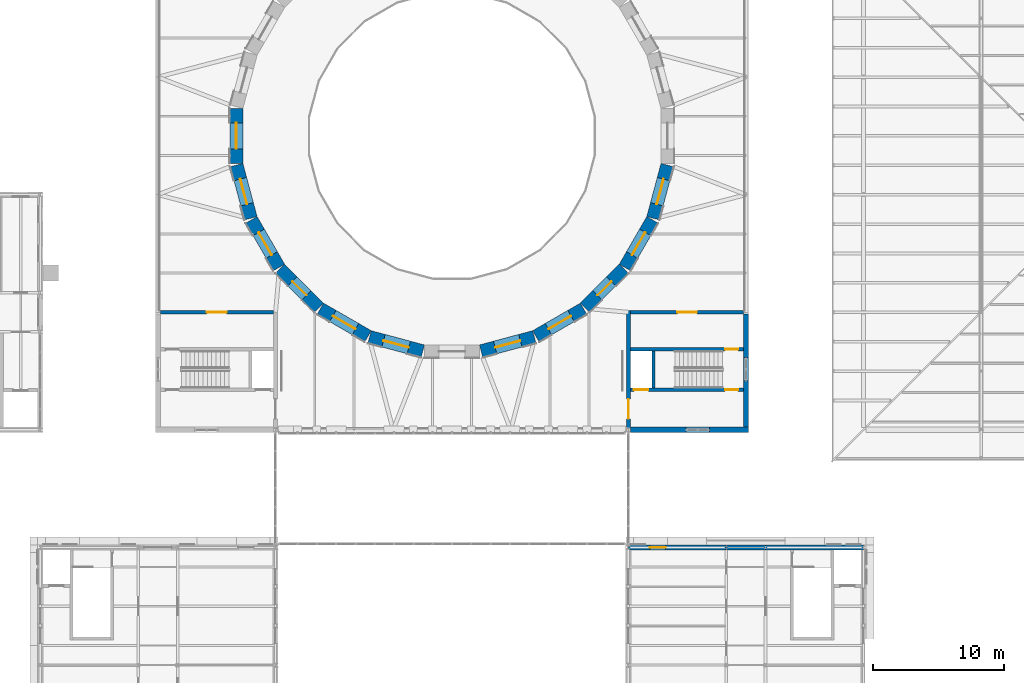
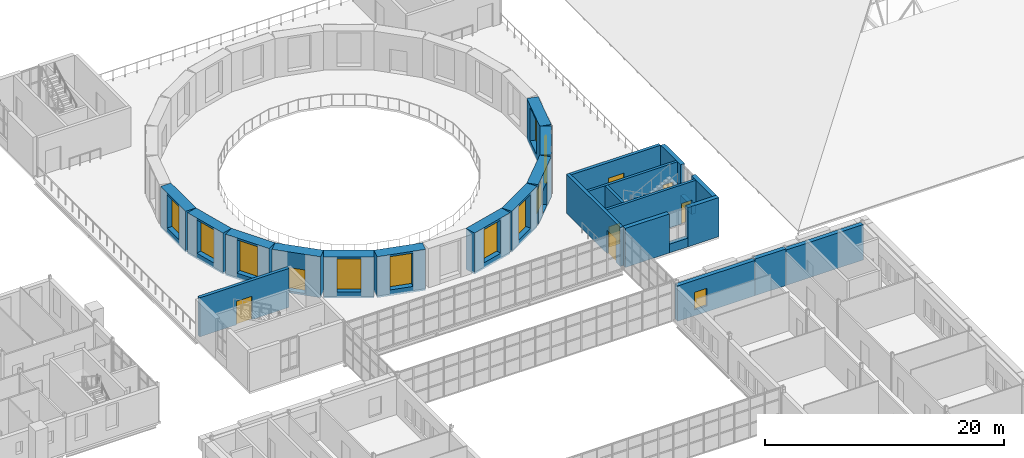
# One storey, part 114 of 154: 26 walls, 10 windows, 8 doors, 18 openings.
"""IFC4 building model written with IfcOpenShell, lengths in metres."""

from ifc_helpers import new_model, si_unit, direction, frame, frame_2d, origin, place, context, subcontext, project, spatial, rectangle, extrude, material, layer, layer_set, type_object, element, fill, save


model = new_model("IFC4")

# Units and contexts
model_context = context("Model", 3, precision=1e-05, world=origin(), true_north=direction((0.0, 1.0)))
body_context = subcontext(model_context, "Body", "Model", "MODEL_VIEW")
ifc_project = project(units=[si_unit("LENGTHUNIT", "METRE"), si_unit("AREAUNIT", "SQUARE_METRE"), si_unit("VOLUMEUNIT", "CUBIC_METRE"), si_unit("PLANEANGLEUNIT", "RADIAN"), si_unit("MASSUNIT", "GRAM", prefix="KILO")], contexts=[model_context])

# Site, building, storey
site_placement = place(None, origin())
site = spatial("IfcSite", under=ifc_project, at=site_placement, CompositionType="ELEMENT")
building_placement = place(site_placement, origin())
building = spatial("IfcBuilding", under=site, at=building_placement, Name="Golden Quay Civic Hall", CompositionType="ELEMENT")
storey_placement = place(building_placement, frame((0.0, 0.0, 14.39990234375)))
storey = spatial("IfcBuildingStorey", under=building, at=storey_placement, Name="L03", CompositionType="ELEMENT", Elevation=14.39990234375)

# Wall, opening, window
ifc_material_1 = material(Name="Concrete C40/50", Category="concrete")
ifc_layer_1 = layer(ifc_material_1, 1.0)
ifc_layer_set_1 = layer_set([ifc_layer_1], Name="Reinforced concrete drum wall 1000, Concrete C40/50")
wall_type_1 = type_object("IfcWallType", Name="Reinforced concrete drum wall 1000", PredefinedType="SHEAR", material=ifc_layer_set_1)
wall_1_placement = place(storey_placement, frame((69.0, 87.6064453125, -0.199951171875), z_axis=(0.0, 0.0, 1.0), x_axis=(0.0, -1.0, 0.0)))
wall_1 = element("IfcWall", 1, at=wall_1_placement, inside=storey, type_object=wall_type_1, Name="Council drum wall 12", PredefinedType="SHEAR", context=body_context, shape_type="SweptSolid", body=[
    extrude(rectangle(XDim=4.212890625, YDim=1.0, at=frame_2d((2.1064453125, 0.0))), origin(), (0.0, 0.0, 1.0), 4.199951171875),
])
opening_1_placement = place(wall_1_placement, frame((1.1064453125, 0.0, 0.60009765625)))
opening_1 = element("IfcOpeningElement", 2, at=opening_1_placement, cuts=wall_1, Name="Opening WN16", PredefinedType="OPENING", context=body_context, shape_type="SweptSolid", body=[
    extrude(rectangle(XDim=2.0, YDim=3.39990234375, at=frame_2d((1.0, 1.699951171875))), frame((0.0, 0.510009765625, 0.0), z_axis=(0.0, -1.0, 0.0), x_axis=(1.0, 0.0, 0.0)), (0.0, 0.0, 1.0), 1.02001953125),
])
ifc_material_2 = material(Name="Aluminium frame, double glazed", Category="aluminium")
window_type_1 = type_object("IfcWindowType", Name="Drum window 2000 x 3400", PartitioningType="SINGLE_PANEL", PredefinedType="WINDOW", material=ifc_material_2)
window_1_placement = place(opening_1_placement, origin())
window_1 = element("IfcWindow", 3, at=window_1_placement, inside=storey, type_object=window_type_1, Name="Gallery window 12", OverallHeight=3.39990234375, OverallWidth=2.0, PartitioningType="SINGLE_PANEL", PredefinedType="WINDOW", context=body_context, shape_type="SweptSolid", body=[
    extrude(rectangle(XDim=2.0, YDim=3.39990234375, at=frame_2d((1.0, 1.699951171875))), frame((0.0, 0.030029296875, 0.0), z_axis=(0.0, -1.0, 0.0), x_axis=(1.0, 0.0, 0.0)), (0.0, 0.0, 1.0), 0.06005859375),
])
fill(opening_1, window_1)

wall_2_placement = place(storey_placement, frame((69.01708984375, 83.26416015625, -0.199951171875), z_axis=(0.0, 0.0, 1.0), x_axis=(0.258809467323, -0.965928392597, 0.0)))
wall_2 = element("IfcWall", 4, at=wall_2_placement, inside=storey, type_object=wall_type_1, Name="Council drum wall 13", PredefinedType="SHEAR", context=body_context, shape_type="SweptSolid", body=[
    extrude(rectangle(XDim=4.212890625, YDim=1.0, at=frame_2d((2.1064453125, 0.0))), origin(), (0.0, 0.0, 1.0), 4.199951171875),
])
opening_2_placement = place(wall_2_placement, frame((1.1064453125, 0.0, 0.60009765625)))
opening_2 = element("IfcOpeningElement", 5, at=opening_2_placement, cuts=wall_2, Name="Opening WN16", PredefinedType="OPENING", context=body_context, shape_type="SweptSolid", body=[
    extrude(rectangle(XDim=2.0, YDim=3.39990234375, at=frame_2d((1.0, 1.699951171875))), frame((0.0, 0.510009765625, 0.0), z_axis=(0.0, -1.0, 0.0), x_axis=(1.0, 0.0, 0.0)), (0.0, 0.0, 1.0), 1.02001953125),
])
window_2_placement = place(opening_2_placement, origin())
window_2 = element("IfcWindow", 6, at=window_2_placement, inside=storey, type_object=window_type_1, Name="Gallery window 13", OverallHeight=3.39990234375, OverallWidth=2.0, PartitioningType="SINGLE_PANEL", PredefinedType="WINDOW", context=body_context, shape_type="SweptSolid", body=[
    extrude(rectangle(XDim=2.0, YDim=3.39990234375, at=frame_2d((1.0, 1.699951171875))), frame((0.0, 0.030029296875, 0.0), z_axis=(0.0, -1.0, 0.0), x_axis=(1.0, 0.0, 0.0)), (0.0, 0.0, 1.0), 0.06005859375),
])
fill(opening_2, window_2)

wall_3_placement = place(storey_placement, frame((70.157470703125, 79.07421875, -0.199951171875), z_axis=(0.0, 0.0, 1.0), x_axis=(0.500003371769, -0.866023457084, 0.0)))
wall_3 = element("IfcWall", 7, at=wall_3_placement, inside=storey, type_object=wall_type_1, Name="Council drum wall 14", PredefinedType="SHEAR", context=body_context, shape_type="SweptSolid", body=[
    extrude(rectangle(XDim=4.212890625, YDim=1.0, at=frame_2d((2.1064453125, 0.0))), origin(), (0.0, 0.0, 1.0), 4.199951171875),
])
opening_3_placement = place(wall_3_placement, frame((1.1064453125, 0.0, 0.60009765625)))
opening_3 = element("IfcOpeningElement", 8, at=opening_3_placement, cuts=wall_3, Name="Opening WN16", PredefinedType="OPENING", context=body_context, shape_type="SweptSolid", body=[
    extrude(rectangle(XDim=2.0, YDim=3.39990234375, at=frame_2d((1.0, 1.699951171875))), frame((0.0, 0.510009765625, 0.0), z_axis=(0.0, -1.0, 0.0), x_axis=(1.0, 0.0, 0.0)), (0.0, 0.0, 1.0), 1.02001953125),
])
window_3_placement = place(opening_3_placement, origin())
window_3 = element("IfcWindow", 9, at=window_3_placement, inside=storey, type_object=window_type_1, Name="Gallery window 14", OverallHeight=3.39990234375, OverallWidth=2.0, PartitioningType="SINGLE_PANEL", PredefinedType="WINDOW", context=body_context, shape_type="SweptSolid", body=[
    extrude(rectangle(XDim=2.0, YDim=3.39990234375, at=frame_2d((1.0, 1.699951171875))), frame((0.0, 0.030029296875, 0.0), z_axis=(0.0, -1.0, 0.0), x_axis=(1.0, 0.0, 0.0)), (0.0, 0.0, 1.0), 0.06005859375),
])
fill(opening_3, window_3)

# Wall, opening, door
wall_4_placement = place(storey_placement, frame((72.34326171875, 75.322265625, -0.199951171875), z_axis=(0.0, 0.0, 1.0), x_axis=(0.707106781187, -0.707106781187, 0.0)))
wall_4 = element("IfcWall", 10, at=wall_4_placement, inside=storey, type_object=wall_type_1, Name="Council drum wall 15", PredefinedType="SHEAR", context=body_context, shape_type="SweptSolid", body=[
    extrude(rectangle(XDim=4.212890625, YDim=1.0, at=frame_2d((2.1064453125, 0.0))), origin(), (0.0, 0.0, 1.0), 4.199951171875),
])
opening_4_placement = place(wall_4_placement, frame((1.3564453125, 0.0, 0.199951171875)))
opening_4 = element("IfcOpeningElement", 11, at=opening_4_placement, cuts=wall_4, Name="Opening L03-D004", PredefinedType="OPENING", context=body_context, shape_type="SweptSolid", body=[
    extrude(rectangle(XDim=1.5, YDim=2.39990234375, at=frame_2d((0.75, 1.199951171875))), frame((0.0, 0.510009765625, 0.0), z_axis=(0.0, -1.0, 0.0), x_axis=(1.0, 0.0, 0.0)), (0.0, 0.0, 1.0), 1.02001953125),
])
ifc_material_3 = material(Name="Timber", Category="wood")
door_type_1 = type_object("IfcDoorType", Name="Timber chamber door 1500 x 2400", OperationType="DOUBLE_DOOR_SINGLE_SWING", PredefinedType="DOOR", material=ifc_material_3)
door_1_placement = place(opening_4_placement, frame((1.5, 0.0, 0.0), z_axis=(0.0, 0.0, 1.0), x_axis=(-1.0, 0.0, 0.0)))
door_1 = element("IfcDoor", 12, at=door_1_placement, inside=storey, type_object=door_type_1, Name="Gallery door", OperationType="DOUBLE_DOOR_SINGLE_SWING", OverallHeight=2.39990234375, OverallWidth=1.5, PredefinedType="DOOR", context=body_context, shape_type="SweptSolid", body=[
    extrude(rectangle(XDim=1.5, YDim=2.39990234375, at=frame_2d((0.75, 1.199951171875))), frame((0.0, 0.025146484375, 0.0), z_axis=(0.0, -1.0, 0.0), x_axis=(1.0, 0.0, 0.0)), (0.0, 0.0, 1.0), 0.050048828125),
])
fill(opening_4, door_1)

# Wall, opening, window
wall_5_placement = place(storey_placement, frame((75.42578125, 72.263916015625, -0.199951171875), z_axis=(0.0, 0.0, 1.0), x_axis=(0.866023457084, -0.500003371769, 0.0)))
wall_5 = element("IfcWall", 13, at=wall_5_placement, inside=storey, type_object=wall_type_1, Name="Council drum wall 16", PredefinedType="SHEAR", context=body_context, shape_type="SweptSolid", body=[
    extrude(rectangle(XDim=4.212890625, YDim=1.0, at=frame_2d((2.1064453125, 0.0))), origin(), (0.0, 0.0, 1.0), 4.199951171875),
])
opening_5_placement = place(wall_5_placement, frame((1.1064453125, 0.0, 0.60009765625)))
opening_5 = element("IfcOpeningElement", 14, at=opening_5_placement, cuts=wall_5, Name="Opening WN16", PredefinedType="OPENING", context=body_context, shape_type="SweptSolid", body=[
    extrude(rectangle(XDim=2.0, YDim=3.39990234375, at=frame_2d((1.0, 1.699951171875))), frame((0.0, 0.510009765625, 0.0), z_axis=(0.0, -1.0, 0.0), x_axis=(1.0, 0.0, 0.0)), (0.0, 0.0, 1.0), 1.02001953125),
])
window_4_placement = place(opening_5_placement, origin())
window_4 = element("IfcWindow", 15, at=window_4_placement, inside=storey, type_object=window_type_1, Name="Gallery window 16", OverallHeight=3.39990234375, OverallWidth=2.0, PartitioningType="SINGLE_PANEL", PredefinedType="WINDOW", context=body_context, shape_type="SweptSolid", body=[
    extrude(rectangle(XDim=2.0, YDim=3.39990234375, at=frame_2d((1.0, 1.699951171875))), frame((0.0, 0.030029296875, 0.0), z_axis=(0.0, -1.0, 0.0), x_axis=(1.0, 0.0, 0.0)), (0.0, 0.0, 1.0), 0.06005859375),
])
fill(opening_5, window_4)

wall_6_placement = place(storey_placement, frame((79.19482421875, 70.107421875, -0.199951171875), z_axis=(0.0, 0.0, 1.0), x_axis=(0.965928392597, -0.258809467323, 0.0)))
wall_6 = element("IfcWall", 16, at=wall_6_placement, inside=storey, type_object=wall_type_1, Name="Council drum wall 17", PredefinedType="SHEAR", context=body_context, shape_type="SweptSolid", body=[
    extrude(rectangle(XDim=4.212890625, YDim=1.0, at=frame_2d((2.1064453125, 0.0))), origin(), (0.0, 0.0, 1.0), 4.199951171875),
])
opening_6_placement = place(wall_6_placement, frame((1.1064453125, 0.0, 0.60009765625)))
opening_6 = element("IfcOpeningElement", 17, at=opening_6_placement, cuts=wall_6, Name="Opening WN16", PredefinedType="OPENING", context=body_context, shape_type="SweptSolid", body=[
    extrude(rectangle(XDim=2.0, YDim=3.39990234375, at=frame_2d((1.0, 1.699951171875))), frame((0.0, 0.510009765625, 0.0), z_axis=(0.0, -1.0, 0.0), x_axis=(1.0, 0.0, 0.0)), (0.0, 0.0, 1.0), 1.02001953125),
])
window_5_placement = place(opening_6_placement, origin())
window_5 = element("IfcWindow", 18, at=window_5_placement, inside=storey, type_object=window_type_1, Name="Gallery window 17", OverallHeight=3.39990234375, OverallWidth=2.0, PartitioningType="SINGLE_PANEL", PredefinedType="WINDOW", context=body_context, shape_type="SweptSolid", body=[
    extrude(rectangle(XDim=2.0, YDim=3.39990234375, at=frame_2d((1.0, 1.699951171875))), frame((0.0, 0.030029296875, 0.0), z_axis=(0.0, -1.0, 0.0), x_axis=(1.0, 0.0, 0.0)), (0.0, 0.0, 1.0), 0.06005859375),
])
fill(opening_6, window_5)

wall_7_placement = place(storey_placement, frame((87.73583984375, 69.01708984375, -0.199951171875), z_axis=(0.0, 0.0, 1.0), x_axis=(0.965928392597, 0.258809467323, 0.0)))
wall_7 = element("IfcWall", 19, at=wall_7_placement, inside=storey, type_object=wall_type_1, Name="Council drum wall 19", PredefinedType="SHEAR", context=body_context, shape_type="SweptSolid", body=[
    extrude(rectangle(XDim=4.212890625, YDim=1.0, at=frame_2d((2.1064453125, 0.0))), origin(), (0.0, 0.0, 1.0), 4.199951171875),
])
opening_7_placement = place(wall_7_placement, frame((1.1064453125, 0.0, 0.60009765625)))
opening_7 = element("IfcOpeningElement", 20, at=opening_7_placement, cuts=wall_7, Name="Opening WN16", PredefinedType="OPENING", context=body_context, shape_type="SweptSolid", body=[
    extrude(rectangle(XDim=2.0, YDim=3.39990234375, at=frame_2d((1.0, 1.699951171875))), frame((0.0, 0.510009765625, 0.0), z_axis=(0.0, -1.0, 0.0), x_axis=(1.0, 0.0, 0.0)), (0.0, 0.0, 1.0), 1.02001953125),
])
window_6_placement = place(opening_7_placement, origin())
window_6 = element("IfcWindow", 21, at=window_6_placement, inside=storey, type_object=window_type_1, Name="Gallery window 19", OverallHeight=3.39990234375, OverallWidth=2.0, PartitioningType="SINGLE_PANEL", PredefinedType="WINDOW", context=body_context, shape_type="SweptSolid", body=[
    extrude(rectangle(XDim=2.0, YDim=3.39990234375, at=frame_2d((1.0, 1.699951171875))), frame((0.0, 0.030029296875, 0.0), z_axis=(0.0, -1.0, 0.0), x_axis=(1.0, 0.0, 0.0)), (0.0, 0.0, 1.0), 0.06005859375),
])
fill(opening_7, window_6)

wall_8_placement = place(storey_placement, frame((91.92578125, 70.157470703125, -0.199951171875), z_axis=(0.0, 0.0, 1.0), x_axis=(0.866023457084, 0.500003371769, 0.0)))
wall_8 = element("IfcWall", 22, at=wall_8_placement, inside=storey, type_object=wall_type_1, Name="Council drum wall 20", PredefinedType="SHEAR", context=body_context, shape_type="SweptSolid", body=[
    extrude(rectangle(XDim=4.212890625, YDim=1.0, at=frame_2d((2.1064453125, 0.0))), origin(), (0.0, 0.0, 1.0), 4.199951171875),
])
opening_8_placement = place(wall_8_placement, frame((1.1064453125, 0.0, 0.60009765625)))
opening_8 = element("IfcOpeningElement", 23, at=opening_8_placement, cuts=wall_8, Name="Opening WN16", PredefinedType="OPENING", context=body_context, shape_type="SweptSolid", body=[
    extrude(rectangle(XDim=2.0, YDim=3.39990234375, at=frame_2d((1.0, 1.699951171875))), frame((0.0, 0.510009765625, 0.0), z_axis=(0.0, -1.0, 0.0), x_axis=(1.0, 0.0, 0.0)), (0.0, 0.0, 1.0), 1.02001953125),
])
window_7_placement = place(opening_8_placement, origin())
window_7 = element("IfcWindow", 24, at=window_7_placement, inside=storey, type_object=window_type_1, Name="Gallery window 20", OverallHeight=3.39990234375, OverallWidth=2.0, PartitioningType="SINGLE_PANEL", PredefinedType="WINDOW", context=body_context, shape_type="SweptSolid", body=[
    extrude(rectangle(XDim=2.0, YDim=3.39990234375, at=frame_2d((1.0, 1.699951171875))), frame((0.0, 0.030029296875, 0.0), z_axis=(0.0, -1.0, 0.0), x_axis=(1.0, 0.0, 0.0)), (0.0, 0.0, 1.0), 0.06005859375),
])
fill(opening_8, window_7)

# Wall, opening, door
wall_9_placement = place(storey_placement, frame((95.677734375, 72.34326171875, -0.199951171875), z_axis=(0.0, 0.0, 1.0), x_axis=(0.707106781187, 0.707106781187, 0.0)))
wall_9 = element("IfcWall", 25, at=wall_9_placement, inside=storey, type_object=wall_type_1, Name="Council drum wall 21", PredefinedType="SHEAR", context=body_context, shape_type="SweptSolid", body=[
    extrude(rectangle(XDim=4.212890625, YDim=1.0, at=frame_2d((2.1064453125, 0.0))), origin(), (0.0, 0.0, 1.0), 4.199951171875),
])
opening_9_placement = place(wall_9_placement, frame((1.3564453125, 0.0, 0.199951171875)))
opening_9 = element("IfcOpeningElement", 26, at=opening_9_placement, cuts=wall_9, Name="Opening L03-D005", PredefinedType="OPENING", context=body_context, shape_type="SweptSolid", body=[
    extrude(rectangle(XDim=1.5, YDim=2.39990234375, at=frame_2d((0.75, 1.199951171875))), frame((0.0, 0.510009765625, 0.0), z_axis=(0.0, -1.0, 0.0), x_axis=(1.0, 0.0, 0.0)), (0.0, 0.0, 1.0), 1.02001953125),
])
door_2_placement = place(opening_9_placement, frame((1.5, 0.0, 0.0), z_axis=(0.0, 0.0, 1.0), x_axis=(-1.0, 0.0, 0.0)))
door_2 = element("IfcDoor", 27, at=door_2_placement, inside=storey, type_object=door_type_1, Name="Gallery door", OperationType="DOUBLE_DOOR_SINGLE_SWING", OverallHeight=2.39990234375, OverallWidth=1.5, PredefinedType="DOOR", context=body_context, shape_type="SweptSolid", body=[
    extrude(rectangle(XDim=1.5, YDim=2.39990234375, at=frame_2d((0.75, 1.199951171875))), frame((0.0, 0.025146484375, 0.0), z_axis=(0.0, -1.0, 0.0), x_axis=(1.0, 0.0, 0.0)), (0.0, 0.0, 1.0), 0.050048828125),
])
fill(opening_9, door_2)

# Wall, opening, window
wall_10_placement = place(storey_placement, frame((98.736083984375, 75.42578125, -0.199951171875), z_axis=(0.0, 0.0, 1.0), x_axis=(0.500003371769, 0.866023457084, 0.0)))
wall_10 = element("IfcWall", 28, at=wall_10_placement, inside=storey, type_object=wall_type_1, Name="Council drum wall 22", PredefinedType="SHEAR", context=body_context, shape_type="SweptSolid", body=[
    extrude(rectangle(XDim=4.212890625, YDim=1.0, at=frame_2d((2.1064453125, 0.0))), origin(), (0.0, 0.0, 1.0), 4.199951171875),
])
opening_10_placement = place(wall_10_placement, frame((1.1064453125, 0.0, 0.60009765625)))
opening_10 = element("IfcOpeningElement", 29, at=opening_10_placement, cuts=wall_10, Name="Opening WN16", PredefinedType="OPENING", context=body_context, shape_type="SweptSolid", body=[
    extrude(rectangle(XDim=2.0, YDim=3.39990234375, at=frame_2d((1.0, 1.699951171875))), frame((0.0, 0.510009765625, 0.0), z_axis=(0.0, -1.0, 0.0), x_axis=(1.0, 0.0, 0.0)), (0.0, 0.0, 1.0), 1.02001953125),
])
window_8_placement = place(opening_10_placement, origin())
window_8 = element("IfcWindow", 30, at=window_8_placement, inside=storey, type_object=window_type_1, Name="Gallery window 22", OverallHeight=3.39990234375, OverallWidth=2.0, PartitioningType="SINGLE_PANEL", PredefinedType="WINDOW", context=body_context, shape_type="SweptSolid", body=[
    extrude(rectangle(XDim=2.0, YDim=3.39990234375, at=frame_2d((1.0, 1.699951171875))), frame((0.0, 0.030029296875, 0.0), z_axis=(0.0, -1.0, 0.0), x_axis=(1.0, 0.0, 0.0)), (0.0, 0.0, 1.0), 0.06005859375),
])
fill(opening_10, window_8)

wall_11_placement = place(storey_placement, frame((100.892578125, 79.19482421875, -0.199951171875), z_axis=(0.0, 0.0, 1.0), x_axis=(0.258809467323, 0.965928392597, 0.0)))
wall_11 = element("IfcWall", 31, at=wall_11_placement, inside=storey, type_object=wall_type_1, Name="Council drum wall 23", PredefinedType="SHEAR", context=body_context, shape_type="SweptSolid", body=[
    extrude(rectangle(XDim=4.212890625, YDim=1.0, at=frame_2d((2.1064453125, 0.0))), origin(), (0.0, 0.0, 1.0), 4.199951171875),
])
opening_11_placement = place(wall_11_placement, frame((1.1064453125, 0.0, 0.60009765625)))
opening_11 = element("IfcOpeningElement", 32, at=opening_11_placement, cuts=wall_11, Name="Opening WN16", PredefinedType="OPENING", context=body_context, shape_type="SweptSolid", body=[
    extrude(rectangle(XDim=2.0, YDim=3.39990234375, at=frame_2d((1.0, 1.699951171875))), frame((0.0, 0.510009765625, 0.0), z_axis=(0.0, -1.0, 0.0), x_axis=(1.0, 0.0, 0.0)), (0.0, 0.0, 1.0), 1.02001953125),
])
window_9_placement = place(opening_11_placement, origin())
window_9 = element("IfcWindow", 33, at=window_9_placement, inside=storey, type_object=window_type_1, Name="Gallery window 23", OverallHeight=3.39990234375, OverallWidth=2.0, PartitioningType="SINGLE_PANEL", PredefinedType="WINDOW", context=body_context, shape_type="SweptSolid", body=[
    extrude(rectangle(XDim=2.0, YDim=3.39990234375, at=frame_2d((1.0, 1.699951171875))), frame((0.0, 0.030029296875, 0.0), z_axis=(0.0, -1.0, 0.0), x_axis=(1.0, 0.0, 0.0)), (0.0, 0.0, 1.0), 0.06005859375),
])
fill(opening_11, window_9)

# Wall, opening, door
ifc_material_4 = material(Name="Concrete C40/50", Category="concrete")
ifc_layer_2 = layer(ifc_material_4, 0.300048828125)
ifc_layer_set_2 = layer_set([ifc_layer_2], Name="Reinforced concrete pocket wall 300, Concrete C40/50")
wall_type_2 = type_object("IfcWallType", Name="Reinforced concrete pocket wall 300", PredefinedType="SHEAR", material=ifc_layer_set_2)
wall_12_placement = place(storey_placement, frame((63.199951171875, 72.0, 0.0), z_axis=(0.0, 0.0, 1.0), x_axis=(1.0, 0.0, 0.0)))
wall_12 = element("IfcWall", 34, at=wall_12_placement, inside=storey, type_object=wall_type_2, Name="Core wall SW B", PredefinedType="SHEAR", context=body_context, shape_type="SweptSolid", body=[
    extrude(rectangle(XDim=8.650146484375, YDim=0.300048828125, at=frame_2d((4.3251953125, 0.0))), origin(), (0.0, 0.0, 1.0), 4.0),
])
opening_12_placement = place(wall_12_placement, frame((3.550048828125, 0.0, 0.0)))
opening_12 = element("IfcOpeningElement", 35, at=opening_12_placement, cuts=wall_12, Name="Opening L03-D128", PredefinedType="OPENING", context=body_context, shape_type="SweptSolid", body=[
    extrude(rectangle(XDim=1.5, YDim=2.39990234375, at=frame_2d((0.75, 1.199951171875))), frame((0.0, 0.159912109375, 0.0), z_axis=(0.0, -1.0, 0.0), x_axis=(1.0, 0.0, 0.0)), (0.0, 0.0, 1.0), 0.320068359375),
])
ifc_material_5 = material(Name="Steel", Category="steel")
door_type_2 = type_object("IfcDoorType", Name="Steel double fire door FD60 1500 x 2400", OperationType="DOUBLE_DOOR_SINGLE_SWING", PredefinedType="DOOR", material=ifc_material_5)
door_3_placement = place(opening_12_placement, origin())
door_3 = element("IfcDoor", 36, at=door_3_placement, inside=storey, type_object=door_type_2, Name="Gallery lobby door SW 2", OperationType="DOUBLE_DOOR_SINGLE_SWING", OverallHeight=2.39990234375, OverallWidth=1.5, PredefinedType="DOOR", context=body_context, shape_type="SweptSolid", body=[
    extrude(rectangle(XDim=1.5, YDim=2.39990234375, at=frame_2d((0.75, 1.199951171875))), frame((0.0, 0.02490234375, 0.0), z_axis=(0.0, -1.0, 0.0), x_axis=(1.0, 0.0, 0.0)), (0.0, 0.0, 1.0), 0.050048828125),
])
fill(opening_12, door_3)

wall_13_placement = place(storey_placement, frame((99.0, 63.14990234375, 0.0), z_axis=(0.0, 0.0, 1.0), x_axis=(0.0, 1.0, 0.0)))
wall_13 = element("IfcWall", 37, at=wall_13_placement, inside=storey, type_object=wall_type_2, Name="Core wall SE A", PredefinedType="SHEAR", context=body_context, shape_type="SweptSolid", body=[
    extrude(rectangle(XDim=9.0, YDim=0.300048828125, at=frame_2d((4.5, 0.0))), origin(), (0.0, 0.0, 1.0), 4.0),
])
opening_13_placement = place(wall_13_placement, frame((0.699951171875, 0.0, 0.0)))
opening_13 = element("IfcOpeningElement", 38, at=opening_13_placement, cuts=wall_13, Name="Opening L03-D132", PredefinedType="OPENING", context=body_context, shape_type="SweptSolid", body=[
    extrude(rectangle(XDim=1.5, YDim=2.39990234375, at=frame_2d((0.75, 1.199951171875))), frame((0.0, 0.159912109375, 0.0), z_axis=(0.0, -1.0, 0.0), x_axis=(1.0, 0.0, 0.0)), (0.0, 0.0, 1.0), 0.320068359375),
])
door_4_placement = place(opening_13_placement, origin())
door_4 = element("IfcDoor", 39, at=door_4_placement, inside=storey, type_object=door_type_2, Name="Gallery lobby door SE 1", OperationType="DOUBLE_DOOR_SINGLE_SWING", OverallHeight=2.39990234375, OverallWidth=1.5, PredefinedType="DOOR", context=body_context, shape_type="SweptSolid", body=[
    extrude(rectangle(XDim=1.5, YDim=2.39990234375, at=frame_2d((0.75, 1.199951171875))), frame((0.0, 0.02490234375, 0.0), z_axis=(0.0, -1.0, 0.0), x_axis=(1.0, 0.0, 0.0)), (0.0, 0.0, 1.0), 0.050048828125),
])
fill(opening_13, door_4)

wall_14_placement = place(storey_placement, frame((107.800048828125, 72.0, 0.0), z_axis=(0.0, 0.0, 1.0), x_axis=(-1.0, 0.0, 0.0)))
wall_14 = element("IfcWall", 40, at=wall_14_placement, inside=storey, type_object=wall_type_2, Name="Core wall SE B", PredefinedType="SHEAR", context=body_context, shape_type="SweptSolid", body=[
    extrude(rectangle(XDim=8.650146484375, YDim=0.300048828125, at=frame_2d((4.3251953125, 0.0))), origin(), (0.0, 0.0, 1.0), 4.0),
])
opening_14_placement = place(wall_14_placement, frame((3.550048828125, 0.0, 0.0)))
opening_14 = element("IfcOpeningElement", 41, at=opening_14_placement, cuts=wall_14, Name="Opening L03-D133", PredefinedType="OPENING", context=body_context, shape_type="SweptSolid", body=[
    extrude(rectangle(XDim=1.5, YDim=2.39990234375, at=frame_2d((0.75, 1.199951171875))), frame((0.0, 0.159912109375, 0.0), z_axis=(0.0, -1.0, 0.0), x_axis=(1.0, 0.0, 0.0)), (0.0, 0.0, 1.0), 0.320068359375),
])
door_5_placement = place(opening_14_placement, frame((1.5, 0.0, 0.0), z_axis=(0.0, 0.0, 1.0), x_axis=(-1.0, 0.0, 0.0)))
door_5 = element("IfcDoor", 42, at=door_5_placement, inside=storey, type_object=door_type_2, Name="Gallery lobby door SE 2", OperationType="DOUBLE_DOOR_SINGLE_SWING", OverallHeight=2.39990234375, OverallWidth=1.5, PredefinedType="DOOR", context=body_context, shape_type="SweptSolid", body=[
    extrude(rectangle(XDim=1.5, YDim=2.39990234375, at=frame_2d((0.75, 1.199951171875))), frame((0.0, 0.025146484375, 0.0), z_axis=(0.0, -1.0, 0.0), x_axis=(1.0, 0.0, 0.0)), (0.0, 0.0, 1.0), 0.050048828125),
])
fill(opening_14, door_5)

# Wall, openings, doors
ifc_material_6 = material(Name="Concrete C40/50", Category="concrete")
ifc_layer_3 = layer(ifc_material_6, 0.25)
ifc_layer_set_3 = layer_set([ifc_layer_3], Name="Reinforced concrete shaft wall 250, Concrete C40/50")
wall_type_3 = type_object("IfcWallType", Name="Reinforced concrete shaft wall 250", PredefinedType="SHEAR", material=ifc_layer_set_3)
wall_15_placement = place(storey_placement, frame((107.800048828125, 66.074951171875, 0.0), z_axis=(0.0, 0.0, 1.0), x_axis=(-1.0, 0.0, 0.0)))
wall_15 = element("IfcWall", 43, at=wall_15_placement, inside=storey, type_object=wall_type_3, Name="Shaft wall SE 1", PredefinedType="SHEAR", context=body_context, shape_type="SweptSolid", body=[
    extrude(rectangle(XDim=8.650146484375, YDim=0.25, at=frame_2d((4.3251953125, 0.0))), origin(), (0.0, 0.0, 1.0), 4.0),
])
opening_15_placement = place(wall_15_placement, frame((0.39990234375, 0.0, 0.0)))
opening_15 = element("IfcOpeningElement", 44, at=opening_15_placement, cuts=wall_15, Name="Opening L03-D131", PredefinedType="OPENING", context=body_context, shape_type="SweptSolid", body=[
    extrude(rectangle(XDim=1.0, YDim=2.10009765625, at=frame_2d((0.5, 1.050048828125))), frame((0.0, 0.135009765625, 0.0), z_axis=(0.0, -1.0, 0.0), x_axis=(1.0, 0.0, 0.0)), (0.0, 0.0, 1.0), 0.27001953125),
])
opening_16_placement = place(wall_15_placement, frame((7.27490234375, 0.0, 0.0)))
opening_16 = element("IfcOpeningElement", 45, at=opening_16_placement, cuts=wall_15, Name="Opening L03-D135", PredefinedType="OPENING", context=body_context, shape_type="SweptSolid", body=[
    extrude(rectangle(XDim=1.10009765625, YDim=2.10009765625, at=frame_2d((0.550048828125, 1.050048828125))), frame((0.0, 0.135009765625, 0.0), z_axis=(0.0, -1.0, 0.0), x_axis=(1.0, 0.0, 0.0)), (0.0, 0.0, 1.0), 0.27001953125),
])
ifc_material_7 = material(Name="Steel", Category="steel")
door_type_3 = type_object("IfcDoorType", Name="Lift landing door 1100 x 2100", OperationType="SLIDING_TO_LEFT", PredefinedType="DOOR", material=ifc_material_7)
door_6_placement = place(opening_16_placement, origin())
door_6 = element("IfcDoor", 46, at=door_6_placement, inside=storey, type_object=door_type_3, Name="Lift SE landing door", OperationType="SLIDING_TO_LEFT", OverallHeight=2.10009765625, OverallWidth=1.10009765625, PredefinedType="DOOR", context=body_context, shape_type="SweptSolid", body=[
    extrude(rectangle(XDim=1.10009765625, YDim=2.10009765625, at=frame_2d((0.550048828125, 1.050048828125))), frame((0.0, 0.02490234375, 0.0), z_axis=(0.0, -1.0, 0.0), x_axis=(1.0, 0.0, 0.0)), (0.0, 0.0, 1.0), 0.050048828125),
])
fill(opening_16, door_6)
ifc_material_8 = material(Name="Steel", Category="steel")
door_type_4 = type_object("IfcDoorType", Name="Steel fire door FD60 1100 x 2100", OperationType="SINGLE_SWING_LEFT", PredefinedType="DOOR", material=ifc_material_8)
door_7_placement = place(opening_15_placement, frame((1.0, 0.0, 0.0), z_axis=(0.0, 0.0, 1.0), x_axis=(-1.0, 0.0, 0.0)))
door_7 = element("IfcDoor", 47, at=door_7_placement, inside=storey, type_object=door_type_4, Name="Stair door SE", OperationType="SINGLE_SWING_RIGHT", OverallHeight=2.10009765625, OverallWidth=1.0, PredefinedType="DOOR", context=body_context, shape_type="SweptSolid", body=[
    extrude(rectangle(XDim=1.0, YDim=2.10009765625, at=frame_2d((0.5, 1.050048828125))), frame((0.0, 0.025146484375, 0.0), z_axis=(0.0, -1.0, 0.0), x_axis=(1.0, 0.0, 0.0)), (0.0, 0.0, 1.0), 0.050048828125),
])
fill(opening_15, door_7)

# Wall, opening, door
wall_16_placement = place(storey_placement, frame((107.800048828125, 69.175048828125, 0.0), z_axis=(0.0, 0.0, 1.0), x_axis=(-1.0, 0.0, 0.0)))
wall_16 = element("IfcWall", 48, at=wall_16_placement, inside=storey, type_object=wall_type_3, Name="Shaft wall SE 2", PredefinedType="SHEAR", context=body_context, shape_type="SweptSolid", body=[
    extrude(rectangle(XDim=8.650146484375, YDim=0.25, at=frame_2d((4.3251953125, 0.0))), origin(), (0.0, 0.0, 1.0), 4.0),
])
opening_17_placement = place(wall_16_placement, frame((0.39990234375, 0.0, 0.0)))
opening_17 = element("IfcOpeningElement", 49, at=opening_17_placement, cuts=wall_16, Name="Opening L03-D134", PredefinedType="OPENING", context=body_context, shape_type="SweptSolid", body=[
    extrude(rectangle(XDim=1.0, YDim=2.10009765625, at=frame_2d((0.5, 1.050048828125))), frame((0.0, 0.135009765625, 0.0), z_axis=(0.0, -1.0, 0.0), x_axis=(1.0, 0.0, 0.0)), (0.0, 0.0, 1.0), 0.27001953125),
])
door_8_placement = place(opening_17_placement, origin())
door_8 = element("IfcDoor", 50, at=door_8_placement, inside=storey, type_object=door_type_4, Name="Stair door SE north", OperationType="SINGLE_SWING_LEFT", OverallHeight=2.10009765625, OverallWidth=1.0, PredefinedType="DOOR", context=body_context, shape_type="SweptSolid", body=[
    extrude(rectangle(XDim=1.0, YDim=2.10009765625, at=frame_2d((0.5, 1.050048828125))), frame((0.0, 0.02490234375, 0.0), z_axis=(0.0, -1.0, 0.0), x_axis=(1.0, 0.0, 0.0)), (0.0, 0.0, 1.0), 0.050048828125),
])
fill(opening_17, door_8)

# Wall
wall_17_placement = place(storey_placement, frame((100.925048828125, 66.199951171875, 0.0), z_axis=(0.0, 0.0, 1.0), x_axis=(0.0, 1.0, 0.0)))
element("IfcWall", 51, at=wall_17_placement, inside=storey, type_object=wall_type_3, Name="Shaft wall SE 3", PredefinedType="SHEAR", context=body_context, shape_type="SweptSolid", body=[
    extrude(rectangle(XDim=2.85009765625, YDim=0.25, at=frame_2d((1.425048828125, 0.0))), origin(), (0.0, 0.0, 1.0), 4.0),
])

# Wall, opening, window
ifc_material_9 = material(Name="Clay block, rendered, cream")
ifc_layer_4 = layer(ifc_material_9, 0.39990234375)
ifc_layer_set_4 = layer_set([ifc_layer_4], Name="Rendered block external wall 400")
wall_type_4 = type_object("IfcWallType", Name="Rendered block external wall 400", PredefinedType="STANDARD", material=ifc_layer_set_4)
wall_18_placement = place(storey_placement, frame((99.00830078125, 54.0, 0.0), z_axis=(0.0, 0.0, 1.0), x_axis=(1.0, 0.0, 0.0)))
wall_18 = element("IfcWall", 52, at=wall_18_placement, inside=storey, type_object=wall_type_4, Name="Rendered block external wall 400 L03 41", PredefinedType="STANDARD", context=body_context, shape_type="SweptSolid", body=[
    extrude(rectangle(XDim=7.4833984375, YDim=0.39990234375, at=frame_2d((3.74169921875, 0.0))), origin(), (0.0, 0.0, 1.0), 3.6201171875),
])
opening_18_placement = place(wall_18_placement, frame((1.641845703125, 0.0, 0.60009765625)))
opening_18 = element("IfcOpeningElement", 53, at=opening_18_placement, cuts=wall_18, Name="Opening WN10", PredefinedType="OPENING", context=body_context, shape_type="SweptSolid", body=[
    extrude(rectangle(XDim=1.199951171875, YDim=1.800048828125, at=frame_2d((0.60009765625, 0.89990234375))), frame((0.0, 0.2099609375, 0.0), z_axis=(0.0, -1.0, 0.0), x_axis=(1.0, 0.0, 0.0)), (0.0, 0.0, 1.0), 0.419921875),
])
ifc_material_10 = material(Name="Aluminium frame, double glazed", Category="aluminium")
window_type_2 = type_object("IfcWindowType", Name="Golden grid window 1200 x 1800", PartitioningType="SINGLE_PANEL", PredefinedType="WINDOW", material=ifc_material_10)
window_10_placement = place(opening_18_placement, origin())
window_10 = element("IfcWindow", 54, at=window_10_placement, inside=storey, type_object=window_type_2, Name="Golden grid window 1200 x 1800 L03 62", OverallHeight=1.800048828125, OverallWidth=1.199951171875, PartitioningType="SINGLE_PANEL", PredefinedType="WINDOW", context=body_context, shape_type="SweptSolid", body=[
    extrude(rectangle(XDim=1.199951171875, YDim=1.800048828125, at=frame_2d((0.60009765625, 0.89990234375))), frame((0.0, 0.030029296875, 0.0), z_axis=(0.0, -1.0, 0.0), x_axis=(1.0, 0.0, 0.0)), (0.0, 0.0, 1.0), 0.06005859375),
])
fill(opening_18, window_10)

# Walls
wall_19_placement = place(storey_placement, frame((106.50830078125, 54.0, 0.0), z_axis=(0.0, 0.0, 1.0), x_axis=(1.0, 0.0, 0.0)))
element("IfcWall", 55, at=wall_19_placement, inside=storey, type_object=wall_type_4, Name="Rendered block external wall 400 L03 42", PredefinedType="STANDARD", context=body_context, shape_type="SweptSolid", body=[
    extrude(rectangle(XDim=2.9833984375, YDim=0.39990234375, at=frame_2d((1.49169921875, 0.0))), origin(), (0.0, 0.0, 1.0), 3.75),
])
ifc_material_11 = material(Name="Clay block, rendered, cream")
ifc_layer_5 = layer(ifc_material_11, 0.39990234375)
ifc_layer_set_5 = layer_set([ifc_layer_5], Name="Rendered block external wall 400 fire EI 60")
wall_type_5 = type_object("IfcWallType", Name="Rendered block external wall 400 fire EI 60", PredefinedType="STANDARD", material=ifc_layer_set_5)
wall_20_placement = place(storey_placement, frame((109.50830078125, 54.0, 0.0), z_axis=(0.0, 0.0, 1.0), x_axis=(1.0, 0.0, 0.0)))
element("IfcWall", 56, at=wall_20_placement, inside=storey, type_object=wall_type_5, Name="Rendered block external wall 400 fire EI 60 L03 7", PredefinedType="STANDARD", context=body_context, shape_type="SweptSolid", body=[
    extrude(rectangle(XDim=7.4833984375, YDim=0.39990234375, at=frame_2d((3.74169921875, 0.0))), origin(), (0.0, 0.0, 1.0), 3.6201171875),
])
ifc_material_12 = material(Name="Brick masonry with render", Category="masonry")
ifc_layer_6 = layer(ifc_material_12, 0.39990234375)
ifc_layer_set_6 = layer_set([ifc_layer_6], Name="Rendered brick external wall 400 fire EI 120")
wall_type_6 = type_object("IfcWallType", Name="Rendered brick external wall 400 fire EI 120", PredefinedType="STANDARD", material=ifc_layer_set_6)
wall_21_placement = place(storey_placement, frame((99.14990234375, 63.0, 0.0), z_axis=(0.0, 0.0, 1.0), x_axis=(1.0, 0.0, 0.0)))
element("IfcWall", 57, at=wall_21_placement, inside=storey, type_object=wall_type_6, Name="Pocket wall SE 1", PredefinedType="STANDARD", context=body_context, shape_type="SweptSolid", body=[
    extrude(rectangle(XDim=4.25, YDim=0.39990234375, at=frame_2d((2.125, 0.0))), origin(), (0.0, 0.0, 1.0), 4.0),
])
wall_22_placement = place(storey_placement, frame((105.199951171875, 63.0, 0.0), z_axis=(0.0, 0.0, 1.0), x_axis=(1.0, 0.0, 0.0)))
element("IfcWall", 58, at=wall_22_placement, inside=storey, type_object=wall_type_6, Name="Pocket wall SE 1 (beyond the bay)", PredefinedType="STANDARD", context=body_context, shape_type="SweptSolid", body=[
    extrude(rectangle(XDim=3.0, YDim=0.39990234375, at=frame_2d((1.5, 0.0))), origin(), (0.0, 0.0, 1.0), 4.0),
])
wall_23_placement = place(storey_placement, frame((103.39990234375, 63.0, 0.0), z_axis=(0.0, 0.0, 1.0), x_axis=(1.0, 0.0, 0.0)))
element("IfcWall", 59, at=wall_23_placement, inside=storey, type_object=wall_type_6, Name="Pocket wall SE 1 sill", PredefinedType="STANDARD", context=body_context, shape_type="SweptSolid", body=[
    extrude(rectangle(XDim=1.800048828125, YDim=0.39990234375, at=frame_2d((0.89990234375, 0.0))), origin(), (0.0, 0.0, 1.0), 0.900146484375),
])
wall_24_placement = place(storey_placement, frame((108.0, 63.199951171875, 0.0), z_axis=(0.0, 0.0, 1.0), x_axis=(0.0, 1.0, 0.0)))
element("IfcWall", 60, at=wall_24_placement, inside=storey, type_object=wall_type_6, Name="Pocket wall SE 2", PredefinedType="STANDARD", context=body_context, shape_type="SweptSolid", body=[
    extrude(rectangle(XDim=3.525146484375, YDim=0.39990234375, at=frame_2d((1.7626953125, 0.0))), origin(), (0.0, 0.0, 1.0), 4.0),
])
wall_25_placement = place(storey_placement, frame((108.0, 68.52490234375, 0.0), z_axis=(0.0, 0.0, 1.0), x_axis=(0.0, 1.0, 0.0)))
element("IfcWall", 61, at=wall_25_placement, inside=storey, type_object=wall_type_6, Name="Pocket wall SE 2 (beyond the bay)", PredefinedType="STANDARD", context=body_context, shape_type="SweptSolid", body=[
    extrude(rectangle(XDim=3.3251953125, YDim=0.39990234375, at=frame_2d((1.66259765625, 0.0))), origin(), (0.0, 0.0, 1.0), 4.0),
])
wall_26_placement = place(storey_placement, frame((108.0, 66.72509765625, 0.0), z_axis=(0.0, 0.0, 1.0), x_axis=(0.0, 1.0, 0.0)))
element("IfcWall", 62, at=wall_26_placement, inside=storey, type_object=wall_type_6, Name="Pocket wall SE 2 sill", PredefinedType="STANDARD", context=body_context, shape_type="SweptSolid", body=[
    extrude(rectangle(XDim=1.7998046875, YDim=0.39990234375, at=frame_2d((0.89990234375, 0.0))), origin(), (0.0, 0.0, 1.0), 0.900146484375),
])

save(model, "model.ifc")
